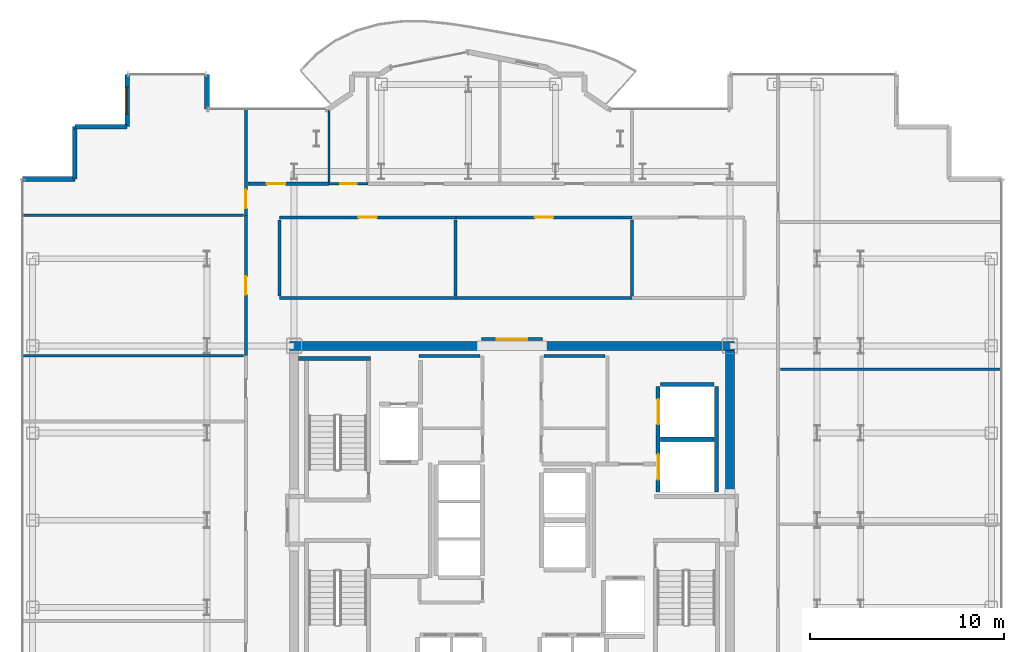
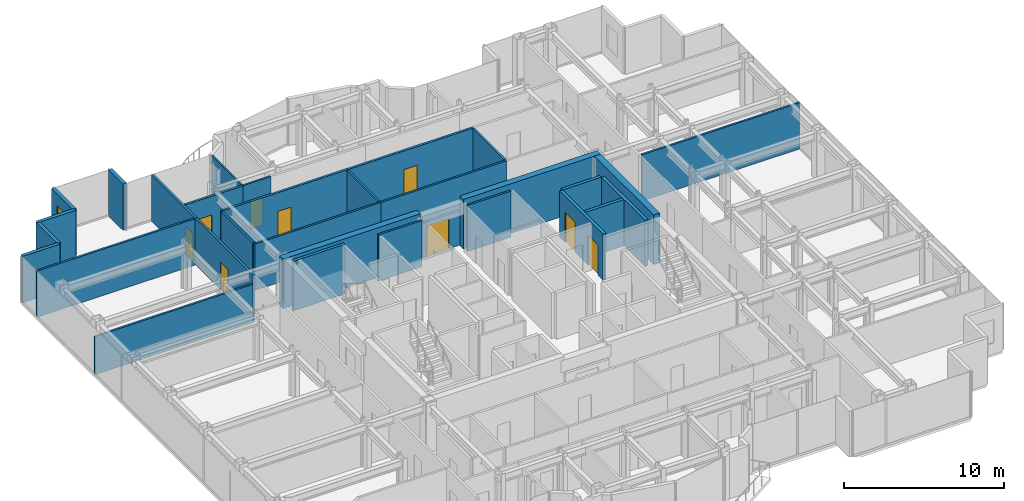
# One storey, part 18 of 21: 31 walls, 9 doors, 1 window, 10 openings.
"""IFC4 building model written with IfcOpenShell, lengths in metres."""

from ifc_helpers import new_model, si_unit, direction, frame, frame_2d, origin, place, context, subcontext, project, spatial, rectangle, extrude, source, transform, mapped, material, layer, layer_set, type_object, element, fill, save


model = new_model("IFC4")

# Units and contexts
model_context = context("Model", 3, precision=1e-05, world=origin(), true_north=direction((0.0, 1.0)))
body_context = subcontext(model_context, "Body", "Model", "MODEL_VIEW")
ifc_project = project(units=[si_unit("LENGTHUNIT", "METRE"), si_unit("AREAUNIT", "SQUARE_METRE"), si_unit("VOLUMEUNIT", "CUBIC_METRE"), si_unit("PLANEANGLEUNIT", "RADIAN"), si_unit("MASSUNIT", "GRAM", prefix="KILO")], contexts=[model_context])

# Site, building, storey
site_placement = place(None, origin())
site = spatial("IfcSite", under=ifc_project, at=site_placement, CompositionType="ELEMENT")
building_placement = place(site_placement, origin())
building = spatial("IfcBuilding", under=site, at=building_placement, Name="Nefas-Gora Pilgrimage Tower", CompositionType="ELEMENT")
storey_placement = place(building_placement, frame((0.0, 0.0, 233.199951171875)))
storey = spatial("IfcBuildingStorey", under=building, at=storey_placement, Name="L58", CompositionType="ELEMENT", Elevation=233.199951171875)

# Walls
ifc_material_1 = material(Name="Concrete C50/60", Category="concrete")
ifc_layer_1 = layer(ifc_material_1, 0.449951171875)
ifc_layer_set_1 = layer_set([ifc_layer_1], Name="Concrete C50/60")
wall_type_1 = type_object("IfcWallType", Name="SW-CORE-450", PredefinedType="SHEAR", material=ifc_layer_set_1)
shared_shape_1 = source(origin(), body_context, "Body", "SweptSolid", [
    extrude(rectangle(XDim=9.925048828125, YDim=0.449951171875, at=frame_2d((4.96240234375, 0.0))), origin(), (0.0, 0.0, 1.0), 3.800048828125),
])
for number, where, z_axis, x_axis, name in (
    (1, (-11.47509765625, 9.0, 0.0), (0.0, 0.0, 1.0), (1.0, 0.0, 0.0), "L58 Core Shear Wall N-West"),
    (2, (1.550048828125, 9.0, 0.0), (0.0, 0.0, 1.0), (1.0, 0.0, 0.0), "L58 Core Shear Wall N-East"),
):
    element("IfcWall", number, at=place(storey_placement, frame(where, z_axis=z_axis, x_axis=x_axis)), inside=storey, type_object=wall_type_1, Name=name, PredefinedType="SHEAR", context=body_context, shape_type="MappedRepresentation", body=[
        mapped(shared_shape_1, transform((0.0, 0.0, 0.0), x_axis=(1.0, 0.0, 0.0), y_axis=(0.0, 1.0, 0.0), z_axis=(0.0, 0.0, 1.0), scale=1.0)),
    ])
shared_shape_2 = source(origin(), body_context, "Body", "SweptSolid", [
    extrude(rectangle(XDim=7.4248046875, YDim=0.449951171875, at=frame_2d((3.71240234375, 0.0))), origin(), (0.0, 0.0, 1.0), 3.800048828125),
])
wall_1_placement = place(storey_placement, frame((11.25, 1.35009765625, 0.0), z_axis=(0.0, 0.0, 1.0), x_axis=(0.0, 1.0, 0.0)))
element("IfcWall", 3, at=wall_1_placement, inside=storey, type_object=wall_type_1, Name="L58 Core Shear Wall E-North", PredefinedType="SHEAR", context=body_context, shape_type="MappedRepresentation", body=[
    mapped(shared_shape_2, transform((0.0, 0.0, 0.0), x_axis=(1.0, 0.0, 0.0), y_axis=(0.0, 1.0, 0.0), z_axis=(0.0, 0.0, 1.0), scale=1.0)),
])
ifc_material_2 = material(Name="Precast concrete C40/50", Category="concrete")
ifc_layer_2 = layer(ifc_material_2, 0.260009765625)
ifc_layer_set_2 = layer_set([ifc_layer_2], Name="Precast concrete C40/50")
wall_type_2 = type_object("IfcWallType", Name="EW-PORTAL-260", PredefinedType="SOLIDWALL", material=ifc_layer_set_2)
shared_shape_3 = source(origin(), body_context, "Body", "SweptSolid", [
    extrude(rectangle(XDim=1.800048828125, YDim=0.260009765625, at=frame_2d((0.89990234375, 0.0))), origin(), (0.0, 0.0, 1.0), 3.550048828125),
])
wall_2_placement = place(storey_placement, frame((-15.75, 21.219970703125, 0.0), z_axis=(0.0, 0.0, 1.0), x_axis=(0.0, 1.0, 0.0)))
element("IfcWall", 4, at=wall_2_placement, inside=storey, type_object=wall_type_2, Name="L58 Lobe Shoulder Precast Spandrel Pier 20", PredefinedType="SOLIDWALL", context=body_context, shape_type="MappedRepresentation", body=[
    mapped(shared_shape_3, transform((0.0, 0.0, 0.0), x_axis=(1.0, 0.0, 0.0), y_axis=(0.0, 1.0, 0.0), z_axis=(0.0, 0.0, 1.0), scale=1.0)),
])

# Wall, opening, window
ifc_material_3 = material(Name="Precast concrete C45/55", Category="concrete")
ifc_layer_3 = layer(ifc_material_3, 0.239990234375)
ifc_layer_set_3 = layer_set([ifc_layer_3], Name="Precast concrete C45/55")
wall_type_3 = type_object("IfcWallType", Name="EW-SERR-240", PredefinedType="SHEAR", material=ifc_layer_set_3)
shared_shape_4 = source(origin(), body_context, "Body", "SweptSolid", [
    extrude(rectangle(XDim=2.699951171875, YDim=0.239990234375, at=frame_2d((1.35009765625, 0.0))), origin(), (0.0, 0.0, 1.0), 3.550048828125),
])
wall_3_placement = place(storey_placement, frame((-19.8701171875, 23.02001953125, 0.0), z_axis=(0.0, 0.0, 1.0), x_axis=(0.0, -1.0, 0.0)))
wall_3 = element("IfcWall", 5, at=wall_3_placement, inside=storey, type_object=wall_type_3, Name="L58 Serrated Corner Shear Pier Wall 21", PredefinedType="SHEAR", context=body_context, shape_type="MappedRepresentation", body=[
    mapped(shared_shape_4, transform((0.0, 0.0, 0.0), x_axis=(1.0, 0.0, 0.0), y_axis=(0.0, 1.0, 0.0), z_axis=(0.0, 0.0, 1.0), scale=1.0)),
])
opening_1_placement = place(wall_3_placement, frame((0.64990234375, 0.0, 0.85009765625)))
opening_1 = element("IfcOpeningElement", 6, at=opening_1_placement, cuts=wall_3, Name="Opening W-V2", PredefinedType="OPENING", context=body_context, shape_type="SweptSolid", body=[
    extrude(rectangle(XDim=1.39990234375, YDim=1.800048828125, at=frame_2d((0.699951171875, 0.89990234375))), frame((0.0, 0.1298828125, 0.0), z_axis=(0.0, -1.0, 0.0), x_axis=(1.0, 0.0, 0.0)), (0.0, 0.0, 1.0), 0.260009765625),
])
ifc_material_4 = material(Name="Dark ceramic-fritted operable aluminium-glass window", Category="aluminium")
window_type = type_object("IfcWindowType", Name="WIN-VENT-1400x1800", PartitioningType="SINGLE_PANEL", PredefinedType="WINDOW", material=ifc_material_4)
shared_shape_5 = source(origin(), body_context, "Body", "SweptSolid", [
    extrude(rectangle(XDim=1.39990234375, YDim=1.800048828125, at=frame_2d((0.699951171875, 0.89990234375))), frame((0.0, 0.030029296875, 0.0), z_axis=(0.0, -1.0, 0.0), x_axis=(1.0, 0.0, 0.0)), (0.0, 0.0, 1.0), 0.06005859375),
])
window_placement = place(opening_1_placement, origin())
window = element("IfcWindow", 7, at=window_placement, inside=storey, type_object=window_type, Name="L58 Operable Parallel-Outswing Window 21", OverallHeight=1.800048828125, OverallWidth=1.39990234375, PartitioningType="SINGLE_PANEL", PredefinedType="WINDOW", context=body_context, shape_type="MappedRepresentation", body=[
    mapped(shared_shape_5, transform((0.0, 0.0, 0.0), x_axis=(1.0, 0.0, 0.0), y_axis=(0.0, 1.0, 0.0), z_axis=(0.0, 0.0, 1.0), scale=1.0)),
])
fill(opening_1, window)

# Walls
for number, where, z_axis, x_axis, name in (
    (8, (-19.8701171875, 20.320068359375, 0.0), (0.0, 0.0, 1.0), (-1.0, 0.0, 0.0), "L58 Serrated Corner Shear Pier Wall 22"),
    (9, (-22.570068359375, 20.320068359375, 0.0), (0.0, 0.0, 1.0), (0.0, -1.0, 0.0), "L58 Serrated Corner Shear Pier Wall 23"),
    (10, (-22.570068359375, 17.6201171875, 0.0), (0.0, 0.0, 1.0), (-1.0, 0.0, 0.0), "L58 Serrated Corner Shear Pier Wall 24"),
):
    element("IfcWall", number, at=place(storey_placement, frame(where, z_axis=z_axis, x_axis=x_axis)), inside=storey, type_object=wall_type_3, Name=name, PredefinedType="SHEAR", context=body_context, shape_type="MappedRepresentation", body=[
        mapped(shared_shape_4, transform((0.0, 0.0, 0.0), x_axis=(1.0, 0.0, 0.0), y_axis=(0.0, 1.0, 0.0), z_axis=(0.0, 0.0, 1.0), scale=1.0)),
    ])
ifc_material_5 = material(Name="Concrete C45/55", Category="concrete")
ifc_layer_4 = layer(ifc_material_5, 0.199951171875)
ifc_layer_set_4 = layer_set([ifc_layer_4], Name="Concrete C45/55")
wall_type_4 = type_object("IfcWallType", Name="IW-STAIR-200", PredefinedType="SOLIDWALL", material=ifc_layer_set_4)
shared_shape_6 = source(origin(), body_context, "Body", "SweptSolid", [
    extrude(rectangle(XDim=3.72998046875, YDim=0.199951171875, at=frame_2d((1.864990234375, 0.0))), origin(), (0.0, 0.0, 1.0), 3.800048828125),
])
wall_4_placement = place(storey_placement, frame((-7.300048828125, 8.35009765625, 0.0), z_axis=(0.0, 0.0, 1.0), x_axis=(-1.0, 0.0, 0.0)))
element("IfcWall", 11, at=wall_4_placement, inside=storey, type_object=wall_type_4, Name="L58 Stairwell Shear Wall ST-01-far", PredefinedType="SOLIDWALL", context=body_context, shape_type="MappedRepresentation", body=[
    mapped(shared_shape_6, transform((0.0, 0.0, 0.0), x_axis=(1.0, 0.0, 0.0), y_axis=(0.0, 1.0, 0.0), z_axis=(0.0, 0.0, 1.0), scale=1.0)),
])

# Wall, openings, doors
ifc_material_6 = material(Name="Concrete C40/50", Category="concrete")
ifc_layer_5 = layer(ifc_material_6, 0.219970703125)
ifc_layer_set_5 = layer_set([ifc_layer_5], Name="Concrete C40/50")
wall_type_5 = type_object("IfcWallType", Name="IW-SHAFT-220", PredefinedType="SOLIDWALL", material=ifc_layer_set_5)
shared_shape_7 = source(origin(), body_context, "Body", "SweptSolid", [
    extrude(rectangle(XDim=5.449951171875, YDim=0.219970703125, at=frame_2d((2.72509765625, 0.0))), origin(), (0.0, 0.0, 1.0), 3.53515625),
])
wall_5_placement = place(storey_placement, frame((7.5400390625, 6.89990234375, 0.0), z_axis=(0.0, 0.0, 1.0), x_axis=(0.0, -1.0, 0.0)))
wall_5 = element("IfcWall", 12, at=wall_5_placement, inside=storey, type_object=wall_type_5, Name="L58 Hoistway Wall SL-01-02-W", PredefinedType="SOLIDWALL", context=body_context, shape_type="MappedRepresentation", body=[
    mapped(shared_shape_7, transform((0.0, 0.0, 0.0), x_axis=(1.0, 0.0, 0.0), y_axis=(0.0, 1.0, 0.0), z_axis=(0.0, 0.0, 1.0), scale=1.0)),
])
opening_2_placement = place(wall_5_placement, frame((3.5, 0.0, 0.0)))
opening_2 = element("IfcOpeningElement", 13, at=opening_2_placement, cuts=wall_5, Name="Opening LD-SV", PredefinedType="OPENING", context=body_context, shape_type="SweptSolid", body=[
    extrude(rectangle(XDim=1.300048828125, YDim=2.300048828125, at=frame_2d((0.64990234375, 1.14990234375))), frame((0.0, 0.119873046875, 0.0), z_axis=(0.0, -1.0, 0.0), x_axis=(1.0, 0.0, 0.0)), (0.0, 0.0, 1.0), 0.239990234375),
])
opening_3_placement = place(wall_5_placement, frame((0.64990234375, 0.0, 0.0)))
opening_3 = element("IfcOpeningElement", 14, at=opening_3_placement, cuts=wall_5, Name="Opening LD-SV", PredefinedType="OPENING", context=body_context, shape_type="SweptSolid", body=[
    extrude(rectangle(XDim=1.300048828125, YDim=2.300048828125, at=frame_2d((0.64990234375, 1.14990234375))), frame((0.0, 0.119873046875, 0.0), z_axis=(0.0, -1.0, 0.0), x_axis=(1.0, 0.0, 0.0)), (0.0, 0.0, 1.0), 0.239990234375),
])
ifc_material_7 = material(Name="Heavy goods sliding lift landing door")
door_type_1 = type_object("IfcDoorType", Name="DR-LIFT-SERV-1300", OperationType="SLIDING_TO_RIGHT", PredefinedType="DOOR", material=ifc_material_7)
shared_shape_8 = source(origin(), body_context, "Body", "SweptSolid", [
    extrude(rectangle(XDim=1.300048828125, YDim=2.300048828125, at=frame_2d((0.64990234375, 1.14990234375))), frame((0.0, 0.02490234375, 0.0), z_axis=(0.0, -1.0, 0.0), x_axis=(1.0, 0.0, 0.0)), (0.0, 0.0, 1.0), 0.050048828125),
])
door_1_placement = place(opening_2_placement, origin())
door_1 = element("IfcDoor", 15, at=door_1_placement, inside=storey, type_object=door_type_1, Name="L58 Sliding Lift Landing Door SL-01", OperationType="SLIDING_TO_RIGHT", OverallHeight=2.300048828125, OverallWidth=1.300048828125, PredefinedType="DOOR", context=body_context, shape_type="MappedRepresentation", body=[
    mapped(shared_shape_8, transform((0.0, 0.0, 0.0), x_axis=(1.0, 0.0, 0.0), y_axis=(0.0, 1.0, 0.0), z_axis=(0.0, 0.0, 1.0), scale=1.0)),
])
fill(opening_2, door_1)
door_2_placement = place(opening_3_placement, origin())
door_2 = element("IfcDoor", 16, at=door_2_placement, inside=storey, type_object=door_type_1, Name="L58 Sliding Lift Landing Door SL-02", OperationType="SLIDING_TO_RIGHT", OverallHeight=2.300048828125, OverallWidth=1.300048828125, PredefinedType="DOOR", context=body_context, shape_type="MappedRepresentation", body=[
    mapped(shared_shape_8, transform((0.0, 0.0, 0.0), x_axis=(1.0, 0.0, 0.0), y_axis=(0.0, 1.0, 0.0), z_axis=(0.0, 0.0, 1.0), scale=1.0)),
])
fill(opening_3, door_2)

# Walls
wall_6_placement = place(storey_placement, frame((10.56005859375, 1.449951171875, 0.0), z_axis=(0.0, 0.0, 1.0), x_axis=(0.0, 1.0, 0.0)))
element("IfcWall", 17, at=wall_6_placement, inside=storey, type_object=wall_type_5, Name="L58 Hoistway Wall SL-01-02-E", PredefinedType="SOLIDWALL", context=body_context, shape_type="MappedRepresentation", body=[
    mapped(shared_shape_7, transform((0.0, 0.0, 0.0), x_axis=(1.0, 0.0, 0.0), y_axis=(0.0, 1.0, 0.0), z_axis=(0.0, 0.0, 1.0), scale=1.0)),
])
shared_shape_9 = source(origin(), body_context, "Body", "SweptSolid", [
    extrude(rectangle(XDim=2.780029296875, YDim=0.219970703125, at=frame_2d((1.39013671875, 0.0))), origin(), (0.0, 0.0, 1.0), 3.53515625),
])
for number, where, z_axis, x_axis, name in (
    (18, (7.659912109375, 4.175048828125, 0.0), (0.0, 0.0, 1.0), (1.0, 0.0, 0.0), "L58 Hoistway Wall SL-01-02-DIV"),
    (19, (10.43994140625, 7.010009765625, 0.0), (0.0, 0.0, 1.0), (-1.0, 0.0, 0.0), "L58 Hoistway Wall SL-02-N"),
):
    element("IfcWall", number, at=place(storey_placement, frame(where, z_axis=z_axis, x_axis=x_axis)), inside=storey, type_object=wall_type_5, Name=name, PredefinedType="SOLIDWALL", context=body_context, shape_type="MappedRepresentation", body=[
        mapped(shared_shape_9, transform((0.0, 0.0, 0.0), x_axis=(1.0, 0.0, 0.0), y_axis=(0.0, 1.0, 0.0), z_axis=(0.0, 0.0, 1.0), scale=1.0)),
    ])
ifc_material_8 = material(Name="Gypsum twin-stud partition")
ifc_layer_6 = layer(ifc_material_8, 0.139892578125)
ifc_layer_set_6 = layer_set([ifc_layer_6], Name="Gypsum twin-stud partition")
wall_type_6 = type_object("IfcWallType", Name="IW-UNIT-140", PredefinedType="PARTITIONING", material=ifc_layer_set_6)
shared_shape_10 = source(origin(), body_context, "Body", "SweptSolid", [
    extrude(rectangle(XDim=3.150146484375, YDim=0.139892578125, at=frame_2d((1.5751953125, 0.0))), origin(), (0.0, 0.0, 1.0), 3.53515625),
])
for number, where, z_axis, x_axis, name in (
    (20, (-4.7900390625, 8.47998046875, 0.0), (0.0, 0.0, 1.0), (1.0, 0.0, 0.0), "L58 Archival Supply Store Partition Wall 21"),
    (21, (1.639892578125, 8.47998046875, 0.0), (0.0, 0.0, 1.0), (1.0, 0.0, 0.0), "L58 Amenity Supply Store Partition Wall 25"),
):
    element("IfcWall", number, at=place(storey_placement, frame(where, z_axis=z_axis, x_axis=x_axis)), inside=storey, type_object=wall_type_6, Name=name, PredefinedType="PARTITIONING", context=body_context, shape_type="MappedRepresentation", body=[
        mapped(shared_shape_10, transform((0.0, 0.0, 0.0), x_axis=(1.0, 0.0, 0.0), y_axis=(0.0, 1.0, 0.0), z_axis=(0.0, 0.0, 1.0), scale=1.0)),
    ])

# Wall, opening, door
ifc_material_9 = material(Name="Moisture-resistant fire-rated gypsum partition")
ifc_layer_7 = layer(ifc_material_9, 0.1201171875)
ifc_layer_set_7 = layer_set([ifc_layer_7], Name="Moisture-resistant fire-rated gypsum partition")
wall_type_7 = type_object("IfcWallType", Name="IW-WET-120", PredefinedType="PLUMBINGWALL", material=ifc_layer_set_7)
shared_shape_11 = source(origin(), body_context, "Body", "SweptSolid", [
    extrude(rectangle(XDim=2.02001953125, YDim=0.1201171875, at=frame_2d((1.010009765625, 0.0))), origin(), (0.0, 0.0, 1.0), 3.53515625),
])
wall_7_placement = place(storey_placement, frame((-9.4599609375, 17.3701171875, 0.0), z_axis=(0.0, 0.0, 1.0), x_axis=(1.0, 0.0, 0.0)))
wall_7 = element("IfcWall", 22, at=wall_7_placement, inside=storey, type_object=wall_type_7, Name="L58 Accessible Unisex WC Partition Wall 29", PredefinedType="PLUMBINGWALL", context=body_context, shape_type="MappedRepresentation", body=[
    mapped(shared_shape_11, transform((0.0, 0.0, 0.0), x_axis=(1.0, 0.0, 0.0), y_axis=(0.0, 1.0, 0.0), z_axis=(0.0, 0.0, 1.0), scale=1.0)),
])
opening_4_placement = place(wall_7_placement, frame((0.5849609375, 0.0, 0.0)))
opening_4 = element("IfcOpeningElement", 23, at=opening_4_placement, cuts=wall_7, Name="Opening ID-BT1", PredefinedType="OPENING", context=body_context, shape_type="SweptSolid", body=[
    extrude(rectangle(XDim=0.85009765625, YDim=2.10009765625, at=frame_2d((0.425048828125, 1.050048828125))), frame((0.0, 0.070068359375, 0.0), z_axis=(0.0, -1.0, 0.0), x_axis=(1.0, 0.0, 0.0)), (0.0, 0.0, 1.0), 0.14013671875),
])
ifc_material_10 = material(Name="Moisture-resistant fire-rated timber door", Category="wood")
door_type_2 = type_object("IfcDoorType", Name="DR-INT-BATH-850", OperationType="NOTDEFINED", PredefinedType="DOOR", material=ifc_material_10)
shared_shape_12 = source(origin(), body_context, "Body", "SweptSolid", [
    extrude(rectangle(XDim=0.85009765625, YDim=2.10009765625, at=frame_2d((0.425048828125, 1.050048828125))), frame((0.0, 0.02490234375, 0.0), z_axis=(0.0, -1.0, 0.0), x_axis=(1.0, 0.0, 0.0)), (0.0, 0.0, 1.0), 0.050048828125),
])
door_3_placement = place(opening_4_placement, origin())
door_3 = element("IfcDoor", 24, at=door_3_placement, inside=storey, type_object=door_type_2, Name="L58 Accessible Unisex WC Door 12", OperationType="SINGLE_SWING_RIGHT", OverallHeight=2.10009765625, OverallWidth=0.85009765625, PredefinedType="DOOR", context=body_context, shape_type="MappedRepresentation", body=[
    mapped(shared_shape_12, transform((0.0, 0.0, 0.0), x_axis=(1.0, 0.0, 0.0), y_axis=(0.0, 1.0, 0.0), z_axis=(0.0, 0.0, 1.0), scale=1.0)),
])
fill(opening_4, door_3)

# Walls
shared_shape_13 = source(origin(), body_context, "Body", "SweptSolid", [
    extrude(rectangle(XDim=3.686767578125, YDim=0.1201171875, at=frame_2d((1.84326171875, 0.0))), origin(), (0.0, 0.0, 1.0), 3.53515625),
])
wall_8_placement = place(storey_placement, frame((-9.449951171875, 17.469970703125, 0.0), z_axis=(0.0, 0.0, 1.0), x_axis=(0.0, 1.0, 0.0)))
element("IfcWall", 25, at=wall_8_placement, inside=storey, type_object=wall_type_7, Name="L58 Accessible Unisex WC Partition Wall 31", PredefinedType="PLUMBINGWALL", context=body_context, shape_type="MappedRepresentation", body=[
    mapped(shared_shape_13, transform((0.0, 0.0, 0.0), x_axis=(1.0, 0.0, 0.0), y_axis=(0.0, 1.0, 0.0), z_axis=(0.0, 0.0, 1.0), scale=1.0)),
])
shared_shape_14 = source(origin(), body_context, "Body", "SweptSolid", [
    extrude(rectangle(XDim=11.429931640625, YDim=0.139892578125, at=frame_2d((5.71484375, 0.0))), origin(), (0.0, 0.0, 1.0), 3.53515625),
])
for number, where, z_axis, x_axis, name in (
    (26, (-25.2900390625, 15.74755859375, 0.0), (0.0, 0.0, 1.0), (1.0, 0.0, 0.0), "L58 Pilgrim Tea and Beverage Pantry Partition Wall 43"),
    (27, (13.860107421875, 7.794921875, 0.0), (0.0, 0.0, 1.0), (1.0, 0.0, 0.0), "L58 Pilgrim Contemplative Lounge Partition Wall 52"),
):
    element("IfcWall", number, at=place(storey_placement, frame(where, z_axis=z_axis, x_axis=x_axis)), inside=storey, type_object=wall_type_6, Name=name, PredefinedType="PARTITIONING", context=body_context, shape_type="MappedRepresentation", body=[
        mapped(shared_shape_14, transform((0.0, 0.0, 0.0), x_axis=(1.0, 0.0, 0.0), y_axis=(0.0, 1.0, 0.0), z_axis=(0.0, 0.0, 1.0), scale=1.0)),
    ])

# Wall, opening, door
ifc_material_11 = material(Name="Gypsum acoustic stud partition")
ifc_layer_8 = layer(ifc_material_11, 0.159912109375)
ifc_layer_set_8 = layer_set([ifc_layer_8], Name="Gypsum acoustic stud partition")
wall_type_8 = type_object("IfcWallType", Name="IW-CORR-160", PredefinedType="PARTITIONING", material=ifc_layer_set_8)
shared_shape_15 = source(origin(), body_context, "Body", "SweptSolid", [
    extrude(rectangle(XDim=7.242431640625, YDim=0.159912109375, at=frame_2d((3.62109375, 0.0))), origin(), (0.0, 0.0, 1.0), 3.53515625),
])
wall_9_placement = place(storey_placement, frame((-13.739990234375, 8.4951171875, 0.0), z_axis=(0.0, 0.0, 1.0), x_axis=(0.0, 1.0, 0.0)))
wall_9 = element("IfcWall", 28, at=wall_9_placement, inside=storey, type_object=wall_type_8, Name="L58 Pilgrim Fellowship Seminar Room Partition Wall 44", PredefinedType="PARTITIONING", context=body_context, shape_type="MappedRepresentation", body=[
    mapped(shared_shape_15, transform((0.0, 0.0, 0.0), x_axis=(1.0, 0.0, 0.0), y_axis=(0.0, 1.0, 0.0), z_axis=(0.0, 0.0, 1.0), scale=1.0)),
])
opening_5_placement = place(wall_9_placement, frame((3.146240234375, 0.0, 0.0)))
opening_5 = element("IfcOpeningElement", 29, at=opening_5_placement, cuts=wall_9, Name="Opening ID-GR1", PredefinedType="OPENING", context=body_context, shape_type="SweptSolid", body=[
    extrude(rectangle(XDim=0.949951171875, YDim=2.10009765625, at=frame_2d((0.47509765625, 1.050048828125))), frame((0.0, 0.08984375, 0.0), z_axis=(0.0, -1.0, 0.0), x_axis=(1.0, 0.0, 0.0)), (0.0, 0.0, 1.0), 0.179931640625),
])
ifc_material_12 = material(Name="Solid core oak fire-rated guest entrance door")
door_type_3 = type_object("IfcDoorType", Name="DR-INT-GUEST-950", OperationType="NOTDEFINED", PredefinedType="DOOR", material=ifc_material_12)
shared_shape_16 = source(origin(), body_context, "Body", "SweptSolid", [
    extrude(rectangle(XDim=0.949951171875, YDim=2.10009765625, at=frame_2d((0.47509765625, 1.050048828125))), frame((0.0, 0.02490234375, 0.0), z_axis=(0.0, -1.0, 0.0), x_axis=(1.0, 0.0, 0.0)), (0.0, 0.0, 1.0), 0.050048828125),
])
door_4_placement = place(opening_5_placement, origin())
door_4 = element("IfcDoor", 30, at=door_4_placement, inside=storey, type_object=door_type_3, Name="L58 Pilgrim Fellowship Seminar Room Door 19", OperationType="SINGLE_SWING_LEFT", OverallHeight=2.10009765625, OverallWidth=0.949951171875, PredefinedType="DOOR", context=body_context, shape_type="MappedRepresentation", body=[
    mapped(shared_shape_16, transform((0.0, 0.0, 0.0), x_axis=(1.0, 0.0, 0.0), y_axis=(0.0, 1.0, 0.0), z_axis=(0.0, 0.0, 1.0), scale=1.0)),
])
fill(opening_5, door_4)

# Walls
shared_shape_17 = source(origin(), body_context, "Body", "SweptSolid", [
    extrude(rectangle(XDim=3.929931640625, YDim=0.139892578125, at=frame_2d((1.96484375, 0.0))), origin(), (0.0, 0.0, 1.0), 3.53515625),
])
for number, where, z_axis, x_axis, name in (
    (31, (-12.0, 11.580078125, 0.0), (0.0, 0.0, 1.0), (0.0, 1.0, 0.0), "L58 Pilgrim Contemplative Lounge Partition Wall 58"),
    (32, (-2.91259765625, 11.580078125, 0.0), (0.0, 0.0, 1.0), (0.0, 1.0, 0.0), "L58 Pilgrim Contemplative Lounge Partition Wall 59"),
    (33, (6.195068359375, 11.580078125, 0.0), (0.0, 0.0, 1.0), (0.0, 1.0, 0.0), "L58 Pilgrim Contemplative Lounge Partition Wall 62"),
):
    element("IfcWall", number, at=place(storey_placement, frame(where, z_axis=z_axis, x_axis=x_axis)), inside=storey, type_object=wall_type_6, Name=name, PredefinedType="PARTITIONING", context=body_context, shape_type="MappedRepresentation", body=[
        mapped(shared_shape_17, transform((0.0, 0.0, 0.0), x_axis=(1.0, 0.0, 0.0), y_axis=(0.0, 1.0, 0.0), z_axis=(0.0, 0.0, 1.0), scale=1.0)),
    ])

# Wall, opening, door
shared_shape_18 = source(origin(), body_context, "Body", "SweptSolid", [
    extrude(rectangle(XDim=4.16015625, YDim=0.159912109375, at=frame_2d((2.080078125, 0.0))), origin(), (0.0, 0.0, 1.0), 3.53515625),
])
wall_10_placement = place(storey_placement, frame((-13.6201171875, 17.3701171875, 0.0), z_axis=(0.0, 0.0, 1.0), x_axis=(1.0, 0.0, 0.0)))
wall_10 = element("IfcWall", 34, at=wall_10_placement, inside=storey, type_object=wall_type_8, Name="L58 Pilgrim Contemplative Lounge Partition Wall 67", PredefinedType="PARTITIONING", context=body_context, shape_type="MappedRepresentation", body=[
    mapped(shared_shape_18, transform((0.0, 0.0, 0.0), x_axis=(1.0, 0.0, 0.0), y_axis=(0.0, 1.0, 0.0), z_axis=(0.0, 0.0, 1.0), scale=1.0)),
])
opening_6_placement = place(wall_10_placement, frame((0.968994140625, 0.0, 0.0)))
opening_6 = element("IfcOpeningElement", 35, at=opening_6_placement, cuts=wall_10, Name="Opening ID-GR1", PredefinedType="OPENING", context=body_context, shape_type="SweptSolid", body=[
    extrude(rectangle(XDim=0.949951171875, YDim=2.10009765625, at=frame_2d((0.47509765625, 1.050048828125))), frame((0.0, 0.08984375, 0.0), z_axis=(0.0, -1.0, 0.0), x_axis=(1.0, 0.0, 0.0)), (0.0, 0.0, 1.0), 0.179931640625),
])
door_5_placement = place(opening_6_placement, origin())
door_5 = element("IfcDoor", 36, at=door_5_placement, inside=storey, type_object=door_type_3, Name="L58 Pilgrim Contemplative Lounge Door 30", OperationType="SINGLE_SWING_RIGHT", OverallHeight=2.10009765625, OverallWidth=0.949951171875, PredefinedType="DOOR", context=body_context, shape_type="MappedRepresentation", body=[
    mapped(shared_shape_16, transform((0.0, 0.0, 0.0), x_axis=(1.0, 0.0, 0.0), y_axis=(0.0, 1.0, 0.0), z_axis=(0.0, 0.0, 1.0), scale=1.0)),
])
fill(opening_6, door_5)

shared_shape_19 = source(origin(), body_context, "Body", "SweptSolid", [
    extrude(rectangle(XDim=3.16015625, YDim=0.159912109375, at=frame_2d((1.580078125, 0.0))), origin(), (0.0, 0.0, 1.0), 2.625),
])
wall_11_placement = place(storey_placement, frame((-1.580078125, 9.35009765625, 0.0), z_axis=(0.0, 0.0, 1.0), x_axis=(1.0, 0.0, 0.0)))
wall_11 = element("IfcWall", 37, at=wall_11_placement, inside=storey, type_object=wall_type_8, Name="L58 Central Lift Lobby North Portal Wall 15", PredefinedType="PARTITIONING", context=body_context, shape_type="MappedRepresentation", body=[
    mapped(shared_shape_19, transform((0.0, 0.0, 0.0), x_axis=(1.0, 0.0, 0.0), y_axis=(0.0, 1.0, 0.0), z_axis=(0.0, 0.0, 1.0), scale=1.0)),
])
opening_7_placement = place(wall_11_placement, frame((0.780029296875, 0.0, 0.0)))
opening_7 = element("IfcOpeningElement", 38, at=opening_7_placement, cuts=wall_11, Name="Opening ID-HL1", PredefinedType="OPENING", context=body_context, shape_type="SweptSolid", body=[
    extrude(rectangle(XDim=1.60009765625, YDim=2.300048828125, at=frame_2d((0.800048828125, 1.14990234375))), frame((0.0, 0.08984375, 0.0), z_axis=(0.0, -1.0, 0.0), x_axis=(1.0, 0.0, 0.0)), (0.0, 0.0, 1.0), 0.179931640625),
])
ifc_material_13 = material(Name="Double acoustic timber assembly hall door", Category="wood")
door_type_4 = type_object("IfcDoorType", Name="DR-INT-HALL-1600", OperationType="DOUBLE_DOOR_SINGLE_SWING", PredefinedType="DOOR", material=ifc_material_13)
shared_shape_20 = source(origin(), body_context, "Body", "SweptSolid", [
    extrude(rectangle(XDim=1.60009765625, YDim=2.300048828125, at=frame_2d((0.800048828125, 1.14990234375))), frame((0.0, 0.02490234375, 0.0), z_axis=(0.0, -1.0, 0.0), x_axis=(1.0, 0.0, 0.0)), (0.0, 0.0, 1.0), 0.050048828125),
])
door_6_placement = place(opening_7_placement, origin())
door_6 = element("IfcDoor", 39, at=door_6_placement, inside=storey, type_object=door_type_4, Name="L58 Central Lift Lobby North Portal Door 5", OperationType="DOUBLE_DOOR_SINGLE_SWING", OverallHeight=2.300048828125, OverallWidth=1.60009765625, PredefinedType="DOOR", context=body_context, shape_type="MappedRepresentation", body=[
    mapped(shared_shape_20, transform((0.0, 0.0, 0.0), x_axis=(1.0, 0.0, 0.0), y_axis=(0.0, 1.0, 0.0), z_axis=(0.0, 0.0, 1.0), scale=1.0)),
])
fill(opening_7, door_6)

# Wall
shared_shape_21 = source(origin(), body_context, "Body", "SweptSolid", [
    extrude(rectangle(XDim=11.429931640625, YDim=0.139892578125, at=frame_2d((5.71484375, 0.0))), origin(), (0.0, 0.0, 1.0), 2.925048828125),
])
wall_12_placement = place(storey_placement, frame((-25.2900390625, 8.4951171875, 0.0), z_axis=(0.0, 0.0, 1.0), x_axis=(1.0, 0.0, 0.0)))
element("IfcWall", 40, at=wall_12_placement, inside=storey, type_object=wall_type_6, Name="L58 Scripture Reading Study Partition Wall 41", PredefinedType="PARTITIONING", context=body_context, shape_type="MappedRepresentation", body=[
    mapped(shared_shape_21, transform((0.0, 0.0, 0.0), x_axis=(1.0, 0.0, 0.0), y_axis=(0.0, 1.0, 0.0), z_axis=(0.0, 0.0, 1.0), scale=1.0)),
])

# Wall, opening, door
shared_shape_22 = source(origin(), body_context, "Body", "SweptSolid", [
    extrude(rectangle(XDim=5.50244140625, YDim=0.159912109375, at=frame_2d((2.751220703125, 0.0))), origin(), (0.0, 0.0, 1.0), 3.53515625),
])
wall_13_placement = place(storey_placement, frame((-13.739990234375, 15.737548828125, 0.0), z_axis=(0.0, 0.0, 1.0), x_axis=(0.0, 1.0, 0.0)))
wall_13 = element("IfcWall", 41, at=wall_13_placement, inside=storey, type_object=wall_type_8, Name="L58 Pilgrim Tea and Beverage Pantry Partition Wall 42", PredefinedType="PARTITIONING", context=body_context, shape_type="MappedRepresentation", body=[
    mapped(shared_shape_22, transform((0.0, 0.0, 0.0), x_axis=(1.0, 0.0, 0.0), y_axis=(0.0, 1.0, 0.0), z_axis=(0.0, 0.0, 1.0), scale=1.0)),
])
opening_8_placement = place(wall_13_placement, frame((0.361328125, 0.0, 0.0)))
opening_8 = element("IfcOpeningElement", 42, at=opening_8_placement, cuts=wall_13, Name="Opening ID-GR1", PredefinedType="OPENING", context=body_context, shape_type="SweptSolid", body=[
    extrude(rectangle(XDim=0.949951171875, YDim=2.10009765625, at=frame_2d((0.47509765625, 1.050048828125))), frame((0.0, 0.08984375, 0.0), z_axis=(0.0, -1.0, 0.0), x_axis=(1.0, 0.0, 0.0)), (0.0, 0.0, 1.0), 0.179931640625),
])
door_7_placement = place(opening_8_placement, origin())
door_7 = element("IfcDoor", 43, at=door_7_placement, inside=storey, type_object=door_type_3, Name="L58 Pilgrim Tea and Beverage Pantry Door 18", OperationType="SINGLE_SWING_RIGHT", OverallHeight=2.10009765625, OverallWidth=0.949951171875, PredefinedType="DOOR", context=body_context, shape_type="MappedRepresentation", body=[
    mapped(shared_shape_16, transform((0.0, 0.0, 0.0), x_axis=(1.0, 0.0, 0.0), y_axis=(0.0, 1.0, 0.0), z_axis=(0.0, 0.0, 1.0), scale=1.0)),
])
fill(opening_8, door_7)

shared_shape_23 = source(origin(), body_context, "Body", "SweptSolid", [
    extrude(rectangle(XDim=9.107421875, YDim=0.159912109375, at=frame_2d((4.5537109375, 0.0))), origin(), (0.0, 0.0, 1.0), 3.53515625),
])
wall_14_placement = place(storey_placement, frame((-12.010009765625, 15.6298828125, 0.0), z_axis=(0.0, 0.0, 1.0), x_axis=(1.0, 0.0, 0.0)))
wall_14 = element("IfcWall", 44, at=wall_14_placement, inside=storey, type_object=wall_type_8, Name="L58 Pilgrim Contemplative Lounge Partition Wall 56", PredefinedType="PARTITIONING", context=body_context, shape_type="MappedRepresentation", body=[
    mapped(shared_shape_23, transform((0.0, 0.0, 0.0), x_axis=(1.0, 0.0, 0.0), y_axis=(0.0, 1.0, 0.0), z_axis=(0.0, 0.0, 1.0), scale=1.0)),
])
opening_9_placement = place(wall_14_placement, frame((4.07861328125, 0.0, 0.0)))
opening_9 = element("IfcOpeningElement", 45, at=opening_9_placement, cuts=wall_14, Name="Opening ID-GR1", PredefinedType="OPENING", context=body_context, shape_type="SweptSolid", body=[
    extrude(rectangle(XDim=0.949951171875, YDim=2.10009765625, at=frame_2d((0.47509765625, 1.050048828125))), frame((0.0, 0.08984375, 0.0), z_axis=(0.0, -1.0, 0.0), x_axis=(1.0, 0.0, 0.0)), (0.0, 0.0, 1.0), 0.179931640625),
])
door_8_placement = place(opening_9_placement, origin())
door_8 = element("IfcDoor", 46, at=door_8_placement, inside=storey, type_object=door_type_3, Name="L58 Pilgrim Contemplative Lounge Door 26", OperationType="SINGLE_SWING_RIGHT", OverallHeight=2.10009765625, OverallWidth=0.949951171875, PredefinedType="DOOR", context=body_context, shape_type="MappedRepresentation", body=[
    mapped(shared_shape_16, transform((0.0, 0.0, 0.0), x_axis=(1.0, 0.0, 0.0), y_axis=(0.0, 1.0, 0.0), z_axis=(0.0, 0.0, 1.0), scale=1.0)),
])
fill(opening_9, door_8)

# Wall
shared_shape_24 = source(origin(), body_context, "Body", "SweptSolid", [
    extrude(rectangle(XDim=9.107421875, YDim=0.139892578125, at=frame_2d((4.5537109375, 0.0))), origin(), (0.0, 0.0, 1.0), 3.53515625),
])
wall_15_placement = place(storey_placement, frame((-12.010009765625, 11.469970703125, 0.0), z_axis=(0.0, 0.0, 1.0), x_axis=(1.0, 0.0, 0.0)))
element("IfcWall", 47, at=wall_15_placement, inside=storey, type_object=wall_type_6, Name="L58 Pilgrim Contemplative Lounge Partition Wall 57", PredefinedType="PARTITIONING", context=body_context, shape_type="MappedRepresentation", body=[
    mapped(shared_shape_24, transform((0.0, 0.0, 0.0), x_axis=(1.0, 0.0, 0.0), y_axis=(0.0, 1.0, 0.0), z_axis=(0.0, 0.0, 1.0), scale=1.0)),
])

# Wall, opening, door
shared_shape_25 = source(origin(), body_context, "Body", "SweptSolid", [
    extrude(rectangle(XDim=9.107666015625, YDim=0.159912109375, at=frame_2d((4.5537109375, 0.0))), origin(), (0.0, 0.0, 1.0), 3.53515625),
])
wall_16_placement = place(storey_placement, frame((-2.902587890625, 15.6298828125, 0.0), z_axis=(0.0, 0.0, 1.0), x_axis=(1.0, 0.0, 0.0)))
wall_16 = element("IfcWall", 48, at=wall_16_placement, inside=storey, type_object=wall_type_8, Name="L58 Pilgrim Contemplative Lounge Partition Wall 60", PredefinedType="PARTITIONING", context=body_context, shape_type="MappedRepresentation", body=[
    mapped(shared_shape_25, transform((0.0, 0.0, 0.0), x_axis=(1.0, 0.0, 0.0), y_axis=(0.0, 1.0, 0.0), z_axis=(0.0, 0.0, 1.0), scale=1.0)),
])
opening_10_placement = place(wall_16_placement, frame((4.07861328125, 0.0, 0.0)))
opening_10 = element("IfcOpeningElement", 49, at=opening_10_placement, cuts=wall_16, Name="Opening ID-GR1", PredefinedType="OPENING", context=body_context, shape_type="SweptSolid", body=[
    extrude(rectangle(XDim=0.949951171875, YDim=2.10009765625, at=frame_2d((0.47509765625, 1.050048828125))), frame((0.0, 0.08984375, 0.0), z_axis=(0.0, -1.0, 0.0), x_axis=(1.0, 0.0, 0.0)), (0.0, 0.0, 1.0), 0.179931640625),
])
door_9_placement = place(opening_10_placement, origin())
door_9 = element("IfcDoor", 50, at=door_9_placement, inside=storey, type_object=door_type_3, Name="L58 Pilgrim Contemplative Lounge Door 27", OperationType="SINGLE_SWING_LEFT", OverallHeight=2.10009765625, OverallWidth=0.949951171875, PredefinedType="DOOR", context=body_context, shape_type="MappedRepresentation", body=[
    mapped(shared_shape_16, transform((0.0, 0.0, 0.0), x_axis=(1.0, 0.0, 0.0), y_axis=(0.0, 1.0, 0.0), z_axis=(0.0, 0.0, 1.0), scale=1.0)),
])
fill(opening_10, door_9)

# Wall
shared_shape_26 = source(origin(), body_context, "Body", "SweptSolid", [
    extrude(rectangle(XDim=9.107666015625, YDim=0.139892578125, at=frame_2d((4.5537109375, 0.0))), origin(), (0.0, 0.0, 1.0), 3.53515625),
])
wall_17_placement = place(storey_placement, frame((-2.902587890625, 11.469970703125, 0.0), z_axis=(0.0, 0.0, 1.0), x_axis=(1.0, 0.0, 0.0)))
element("IfcWall", 51, at=wall_17_placement, inside=storey, type_object=wall_type_6, Name="L58 Pilgrim Contemplative Lounge Partition Wall 61", PredefinedType="PARTITIONING", context=body_context, shape_type="MappedRepresentation", body=[
    mapped(shared_shape_26, transform((0.0, 0.0, 0.0), x_axis=(1.0, 0.0, 0.0), y_axis=(0.0, 1.0, 0.0), z_axis=(0.0, 0.0, 1.0), scale=1.0)),
])

save(model, "model.ifc")
